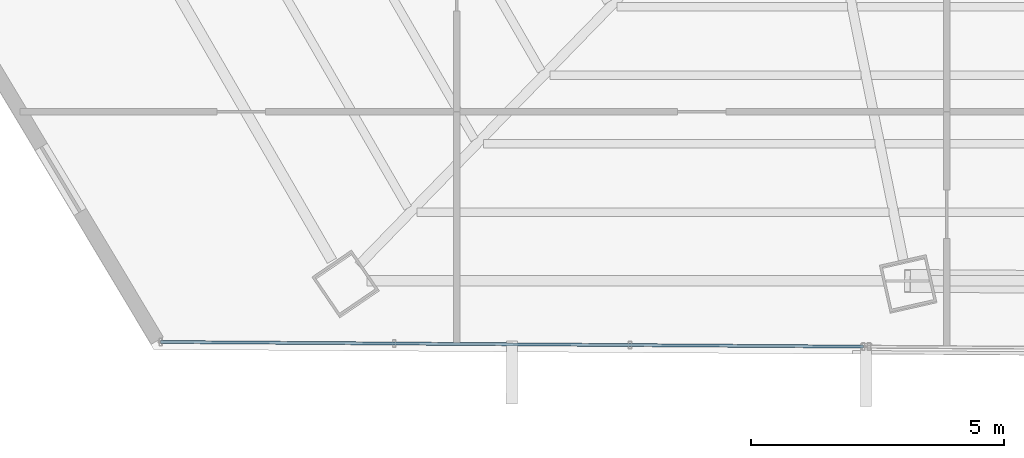
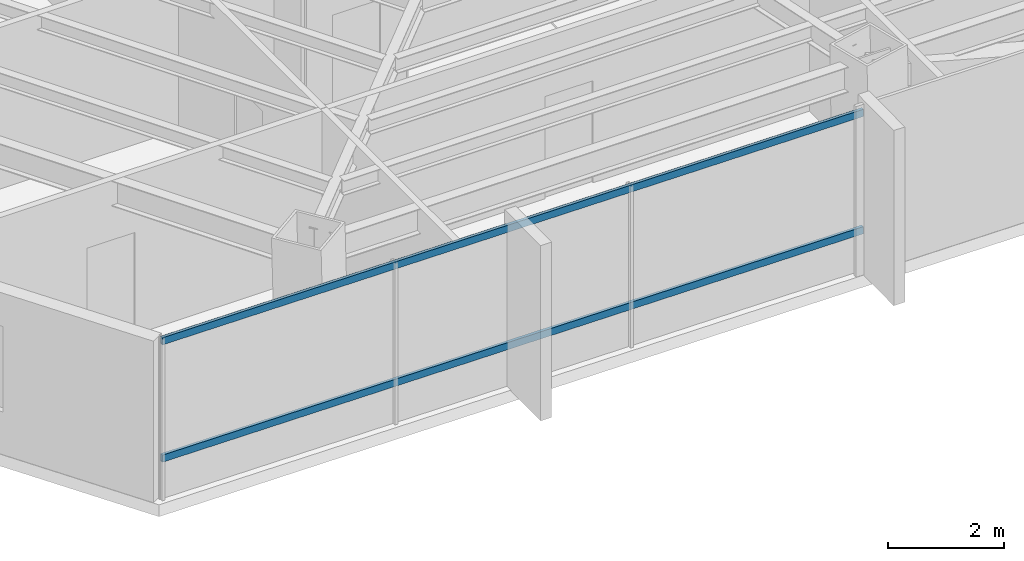
# One storey, part 3 of 41: 2 members, 1 element without a shape of its own.
"""IFC4 building model written with IfcOpenShell, lengths in metres."""

from ifc_helpers import new_model, si_unit, direction, frame, origin, origin_2d, place, context, subcontext, project, spatial, hollow_rectangle, extrude, source, transform, mapped, material, material_profile, profile_set, type_object, type_shapes, element, aggregate, save


model = new_model("IFC4")

# Units and contexts
model_context = context("Model", 3, precision=1e-05, world=origin(), true_north=direction((0.0, 1.0)))
body_context = subcontext(model_context, "Body", "Model", "MODEL_VIEW")
ifc_project = project(units=[si_unit("LENGTHUNIT", "METRE"), si_unit("AREAUNIT", "SQUARE_METRE"), si_unit("VOLUMEUNIT", "CUBIC_METRE"), si_unit("PLANEANGLEUNIT", "RADIAN"), si_unit("MASSUNIT", "GRAM", prefix="KILO")], contexts=[model_context])

# Site, building, storey
site_placement = place(None, origin())
site = spatial("IfcSite", under=ifc_project, at=site_placement, CompositionType="ELEMENT")
building_placement = place(site_placement, origin())
building = spatial("IfcBuilding", under=site, at=building_placement, Name="Caelisora Broadcast Tower", CompositionType="ELEMENT")
storey_placement = place(building_placement, frame((0.0, 0.0, 180.39990234375)))
storey = spatial("IfcBuildingStorey", under=building, at=storey_placement, Name="L47", CompositionType="ELEMENT", Elevation=180.39990234375)

# Curtain wall, members
ifc_material_1 = material(Name="Unitised Aluminium and Low-E Glass Curtain Wall", Category="glass")
curtain_wall_type = type_object("IfcCurtainWallType", Name="CW-Z3", PredefinedType="NOTDEFINED", material=ifc_material_1)
curtain_wall_placement = place(storey_placement, origin())
curtain_wall = element("IfcCurtainWall", 1, at=curtain_wall_placement, inside=storey, type_object=curtain_wall_type, Name="L47 curtain wall CW-Z3", PredefinedType="NOTDEFINED")
ifc_material_2 = material(Name="Aluminium 6063-T6 Anodised Terracotta Bronze", Category="aluminium")
ifc_material_profile = material_profile(ifc_material_2, hollow_rectangle(XDim=0.06005859375, YDim=0.14990234375, WallThickness=0.00341796875, at=origin_2d()), Name="Aluminium 6063-T6 Anodised Terracotta Bronze")
ifc_profile_set = profile_set([ifc_material_profile], Name="Aluminium 6063-T6 Anodised Terracotta Bronze")
member_type = type_object("IfcMemberType", Name="CWT-02", PredefinedType="USERDEFINED", material=ifc_profile_set)
shared_shape = source(origin(), body_context, "Body", "SweptSolid", [
    extrude(hollow_rectangle(XDim=0.06005859375, YDim=0.14990234375, WallThickness=0.00341796875, at=origin_2d()), origin(), (0.0, 0.0, 1.0), 13.90869140625),
])
type_shapes(member_type, [shared_shape])
member_1_placement = place(storey_placement, frame((31.54833984375, 6.598388671875, 0.85009765625), z_axis=(-0.99997798787, 0.006635041504, 0.0), x_axis=(-0.006635041504, -0.99997798787, 0.0)))
member_1 = element("IfcMember", 2, at=member_1_placement, type_object=member_type, Name="L47-CW-B07 transom #1", ObjectType="TRANSOM", PredefinedType="USERDEFINED", context=body_context, shape_type="MappedRepresentation", body=[
    mapped(shared_shape, transform((0.0, 0.0, 0.0), scale=1.0)),
])
member_2_placement = place(storey_placement, frame((31.54833984375, 6.598388671875, 3.320068359375), z_axis=(-0.99997798787, 0.006635041504, 0.0), x_axis=(-0.006635041504, -0.99997798787, 0.0)))
member_2 = element("IfcMember", 3, at=member_2_placement, type_object=member_type, Name="L47-CW-B07 transom #2", ObjectType="TRANSOM", PredefinedType="USERDEFINED", context=body_context, shape_type="MappedRepresentation", body=[
    mapped(shared_shape, transform((0.0, 0.0, 0.0), scale=1.0)),
])
aggregate(curtain_wall, [member_1, member_2])

save(model, "model.ifc")
